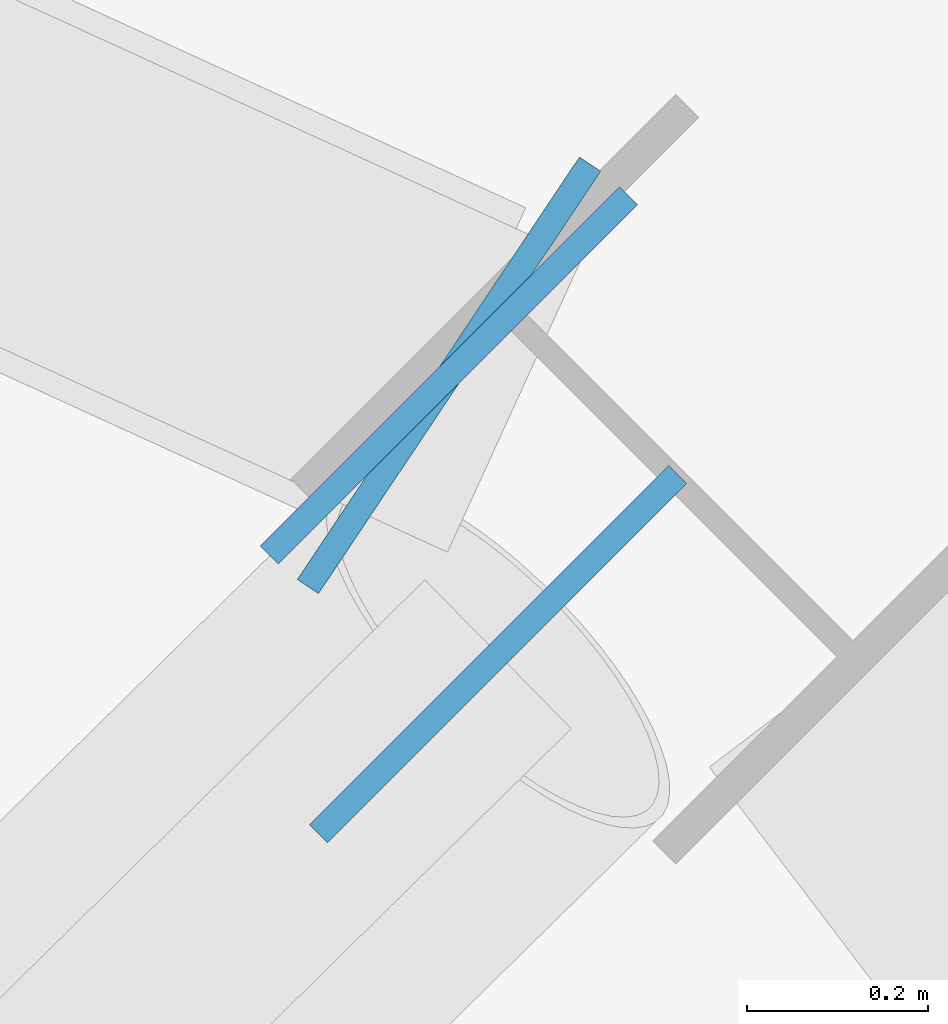
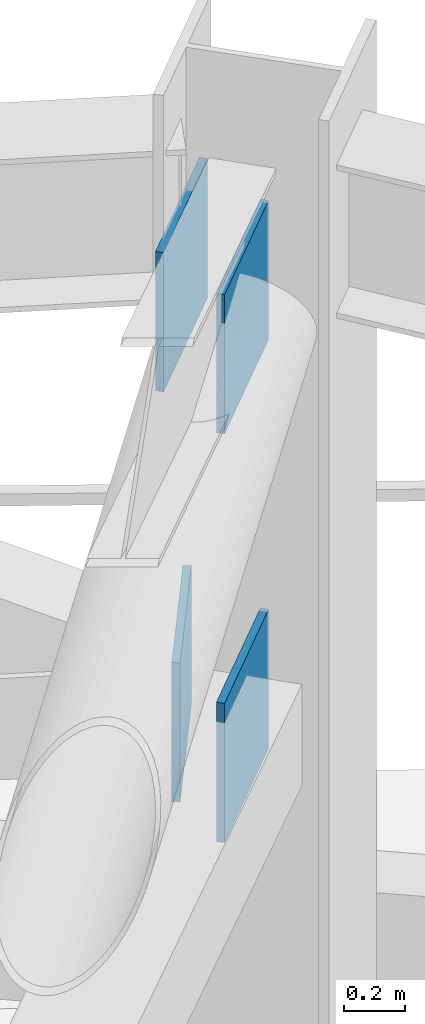
# One storey, part 13 of 18: 4 plates.
"""IFC4 building model written with IfcOpenShell, lengths in metres."""

import ifcopenshell
import ifcopenshell.guid

model = None  # the IFC model being written
_history = None  # IfcOwnerHistory: only IFC2X3 demands one
_inside = {}  # id of a spatial element -> (the spatial element, [elements in it])
_under = {}  # id of a project, library or spatial element -> (it, [spatial elements below it])
_declared = {}  # id of a project -> (the project, [libraries it declares])
_typed = {}  # id of a type object -> (the type object, [elements of that type])
_made_of = {}  # id of a material, layer set ... -> (it, [elements and type objects made of it])


def new_model(schema):
    """Start an empty IFC model of exactly this schema.

    Asked for "IFC4X3", IfcOpenShell would pick the latest addendum, in which some entities
    have other attributes; the version numbers below select the first issue.
    IFC2X3 requires an IfcOwnerHistory on every rooted entity: one is made here for all.
    """
    global model, _history
    if schema == "IFC4X3":
        model = ifcopenshell.file(schema_version=(4, 3, 0, 0))
    else:
        model = ifcopenshell.file(schema=schema)
    _inside.clear()
    _under.clear()
    _declared.clear()
    _typed.clear()
    _made_of.clear()
    _history = None
    if model.schema == "IFC2X3":
        org = make("IfcOrganization", Name="unknown")
        user = make(
            "IfcPersonAndOrganization",
            ThePerson=make("IfcPerson", FamilyName="unknown"),
            TheOrganization=org,
        )
        app = make(
            "IfcApplication",
            ApplicationDeveloper=org,
            Version="unknown",
            ApplicationFullName="unknown",
            ApplicationIdentifier="unknown",
        )
        _history = make(
            "IfcOwnerHistory",
            OwningUser=user,
            OwningApplication=app,
            ChangeAction="ADDED",
            CreationDate=0,
        )
    return model


def make(cls, **values):
    """One entity of the class cls with the attributes given. An attribute that is None is left unset."""
    return model.create_entity(
        cls, **{name: value for name, value in values.items() if value is not None}
    )


def rooted(cls, **values):
    """An entity with a GlobalId (a new one), such as an element, a storey or a relation."""
    return make(cls, GlobalId=ifcopenshell.guid.new(), OwnerHistory=_history, **values)


def si_unit(unit_type, name, prefix=None):
    """IfcSIUnit, for example si_unit("LENGTHUNIT", "METRE", prefix="MILLI")."""
    return make("IfcSIUnit", UnitType=unit_type, Prefix=prefix, Name=name)


def assignment(units):
    """IfcUnitAssignment: the units of a project."""
    return None if units is None else make("IfcUnitAssignment", Units=units)


def point(xyz):
    """IfcCartesianPoint."""
    return None if xyz is None else make("IfcCartesianPoint", Coordinates=xyz)


def direction(xyz):
    """IfcDirection."""
    return None if xyz is None else make("IfcDirection", DirectionRatios=xyz)


def frame(location, z_axis=None, x_axis=None):
    """IfcAxis2Placement3D, a coordinate frame: its origin and axes. An axis left out is left unset."""
    return make(
        "IfcAxis2Placement3D",
        Location=point(location),
        Axis=direction(z_axis),
        RefDirection=direction(x_axis),
    )


def frame_2d(location, x_axis=None):
    """IfcAxis2Placement2D, a coordinate frame in the plane: its origin and x axis."""
    return make(
        "IfcAxis2Placement2D", Location=point(location), RefDirection=direction(x_axis)
    )


def origin():
    """The frame at (0, 0, 0) with its axes left unset."""
    return frame((0.0, 0.0, 0.0))


def origin_2d():
    """The frame at (0, 0) in the plane with its x axis left unset."""
    return frame_2d((0.0, 0.0))


def place(relative_to, where):
    """IfcLocalPlacement: puts the frame where relative to a parent placement (None: the world)."""
    return make(
        "IfcLocalPlacement", PlacementRelTo=relative_to, RelativePlacement=where
    )


def context(
    kind, dimensions, precision=None, world=None, true_north=None, identifier=None
):
    """IfcGeometricRepresentationContext, for example the 3D "Model" context."""
    return make(
        "IfcGeometricRepresentationContext",
        ContextIdentifier=identifier,
        ContextType=kind,
        CoordinateSpaceDimension=dimensions,
        Precision=precision,
        WorldCoordinateSystem=world,
        TrueNorth=true_north,
    )


def subcontext(parent, identifier, kind, view, scale=None):
    """IfcGeometricRepresentationSubContext, for example "Body" below "Model"."""
    return make(
        "IfcGeometricRepresentationSubContext",
        ContextIdentifier=identifier,
        ContextType=kind,
        ParentContext=parent,
        TargetScale=scale,
        TargetView=view,
    )


def project(units=None, contexts=None):
    """IfcProject with its units and contexts."""
    return rooted(
        "IfcProject",
        Name="project",
        RepresentationContexts=contexts,
        UnitsInContext=assignment(units),
    )


def spatial(cls, under=None, at=None, **own):
    """A site, building, storey or space (cls), placed at a placement, below another one or the project."""
    s = rooted(cls, ObjectPlacement=at, **own)
    if under is not None:
        _under.setdefault(under.id(), (under, []))[1].append(s)
    return s


def profile(cls, at=None, kind="AREA", **sizes):
    """A parametric profile (cls). Its sizes go by their IFC names, for example OverallWidth=200.0."""
    return make(cls, ProfileType=kind, Position=at, **sizes)


def rectangle(**sizes):
    """IfcRectangleProfileDef."""
    return profile("IfcRectangleProfileDef", **sizes)


def extrude(swept, where, along, depth):
    """IfcExtrudedAreaSolid: the profile swept, set in the frame where, extruded along a direction by depth."""
    return make(
        "IfcExtrudedAreaSolid",
        SweptArea=swept,
        Position=where,
        ExtrudedDirection=direction(along),
        Depth=depth,
    )


def shape(context_of_items, identifier, shape_type, items):
    """IfcShapeRepresentation: the items that make up one representation, for example the "Body"."""
    return make(
        "IfcShapeRepresentation",
        ContextOfItems=context_of_items,
        RepresentationIdentifier=identifier,
        RepresentationType=shape_type,
        Items=items,
    )


def material(Name=None, Category=None):
    """IfcMaterial."""
    return make("IfcMaterial", Name=Name, Category=Category)


def layer(
    of_material, thickness, ventilated=None, Name=None, Category=None, Priority=None
):
    """IfcMaterialLayer: one layer of a wall or slab, of a material (None: an air gap)."""
    return make(
        "IfcMaterialLayer",
        Material=of_material,
        LayerThickness=thickness,
        IsVentilated=ventilated,
        Name=Name,
        Category=Category,
        Priority=Priority,
    )


def layer_set(layers, Name=None):
    """IfcMaterialLayerSet."""
    return make("IfcMaterialLayerSet", MaterialLayers=layers, LayerSetName=Name)


def made_of(thing, what):
    """Note that an element or type object is made of a material, layer set ...; save() writes the relation."""
    if what is not None:
        _made_of.setdefault(what.id(), (what, []))[1].append(thing)
    return thing


def type_object(cls, material=None, **own):
    """A type object (cls), such as IfcWallType, which elements share."""
    return made_of(rooted(cls, **own), material)


def element(
    cls,
    number,
    at=None,
    inside=None,
    cuts=None,
    type_object=None,
    material=None,
    context=None,
    identifier="Body",
    shape_type=None,
    held_by="IfcProductDefinitionShape",
    body=None,
    shapes=None,
    **own,
):
    """One element of the class cls, such as IfcWall. Its Tag is "e" and its number.

    at: its placement. inside: the storey or other place that contains it. cuts: it is an
    opening in that element (IfcRelVoidsElement). A single representation is given by context,
    identifier, shape_type and body (its items); several are given by shapes. held_by: the class
    of the entity that holds the representations. save() writes the other relations.
    """
    e = rooted(cls, Tag="e%d" % number, ObjectPlacement=at, **own)
    if body is not None:
        shapes = [shape(context, identifier, shape_type, body)]
    if shapes is not None:
        e.Representation = make(held_by, Representations=shapes)
    if inside is not None:
        _inside.setdefault(inside.id(), (inside, []))[1].append(e)
    if cuts is not None:
        rooted(
            "IfcRelVoidsElement", RelatingBuildingElement=cuts, RelatedOpeningElement=e
        )
    if type_object is not None:
        _typed.setdefault(type_object.id(), (type_object, []))[1].append(e)
    return made_of(e, material)


def aggregate(whole, parts):
    """IfcRelAggregates: a whole, such as a stair, and the parts it consists of."""
    return rooted("IfcRelAggregates", RelatingObject=whole, RelatedObjects=parts)


def save(model, path):
    """Write the relations noted so far, then the file.

    IfcRelAggregates (storeys below a building ...), IfcRelContainedInSpatialStructure (elements
    in a storey), IfcRelDefinesByType, IfcRelAssociatesMaterial and IfcRelDeclares: one each for
    every whole, place, type object, material and project.
    """
    for whole, parts in _under.values():
        aggregate(whole, parts)
    for where, things in _inside.values():
        rooted(
            "IfcRelContainedInSpatialStructure",
            RelatedElements=things,
            RelatingStructure=where,
        )
    for kind, things in _typed.values():
        rooted("IfcRelDefinesByType", RelatedObjects=things, RelatingType=kind)
    for what, things in _made_of.values():
        rooted("IfcRelAssociatesMaterial", RelatedObjects=things, RelatingMaterial=what)
    for by, libraries in _declared.values():
        rooted("IfcRelDeclares", RelatingContext=by, RelatedDefinitions=libraries)
    model.write(path)


model = new_model("IFC4")

# Units and contexts
model_context = context("Model", 3, precision=1e-05, world=origin(), true_north=direction((0.0, 1.0)))
body_context = subcontext(model_context, "Body", "Model", "MODEL_VIEW")
ifc_project = project(units=[si_unit("LENGTHUNIT", "METRE"), si_unit("AREAUNIT", "SQUARE_METRE"), si_unit("VOLUMEUNIT", "CUBIC_METRE"), si_unit("PLANEANGLEUNIT", "RADIAN"), si_unit("MASSUNIT", "GRAM", prefix="KILO")], contexts=[model_context])

# Site, building, storey
site_placement = place(None, origin())
site = spatial("IfcSite", under=ifc_project, at=site_placement, CompositionType="ELEMENT")
building_placement = place(site_placement, origin())
building = spatial("IfcBuilding", under=site, at=building_placement, Name="Haldorwick Loom Tower", CompositionType="ELEMENT")
storey_placement = place(building_placement, frame((0.0, 0.0, 76.800048828125)))
storey = spatial("IfcBuildingStorey", under=building, at=storey_placement, Name="L20", CompositionType="ELEMENT", Elevation=76.800048828125)

# Plates
ifc_material = material(Name="Steel CSA G40.21 350W", Category="steel")
ifc_layer = layer(ifc_material, 0.028076171875, Name="Steel CSA G40.21 350W", Category="steel")
ifc_layer_set = layer_set([ifc_layer], Name="Steel CSA G40.21 350W")
plate_type = type_object("IfcPlateType", Name="STR-PLT-GUS28", PredefinedType="SHEET", material=ifc_layer_set)
for number, where, z_axis, x_axis, name in (
    (1, (56.356689453125, 42.09619140625, 2.219970703125), (0.0, 0.0, 1.0), (0.55557023302, 0.831469612303, 0.0), "L20 Truss Node Gusset Plate PLT-L20-BGUS-02-0A"),
    (2, (56.356689453125, 42.09619140625, 3.864013671875), (0.0, 0.0, 1.0), (0.707106781187, 0.707106781187, 0.0), "L20 Truss Node Gusset Plate PLT-L20-BGUS-02B"),
    (3, (56.410888671875, 41.788818359375, 2.219970703125), (0.0, 0.0, 1.0), (0.707106781187, 0.707106781187, 0.0), "L20 Truss Node Gusset Plate PLT-L20-OT-NE-PB0"),
    (4, (56.410888671875, 41.788818359375, 3.863037109375), (0.0, 0.0, 1.0), (0.707106781187, 0.707106781187, 0.0), "L20 Truss Node Gusset Plate PLT-L20-OT-NE-PT0"),
):
    element("IfcPlate", number, at=place(storey_placement, frame(where, z_axis=z_axis, x_axis=x_axis)), inside=storey, type_object=plate_type, Name=name, PredefinedType="SHEET", context=body_context, shape_type="SweptSolid", body=[
        extrude(rectangle(XDim=0.56005859375, YDim=0.028076171875, at=origin_2d()), origin(), (0.0, 0.0, 1.0), 0.56005859375),
    ])

save(model, "model.ifc")
